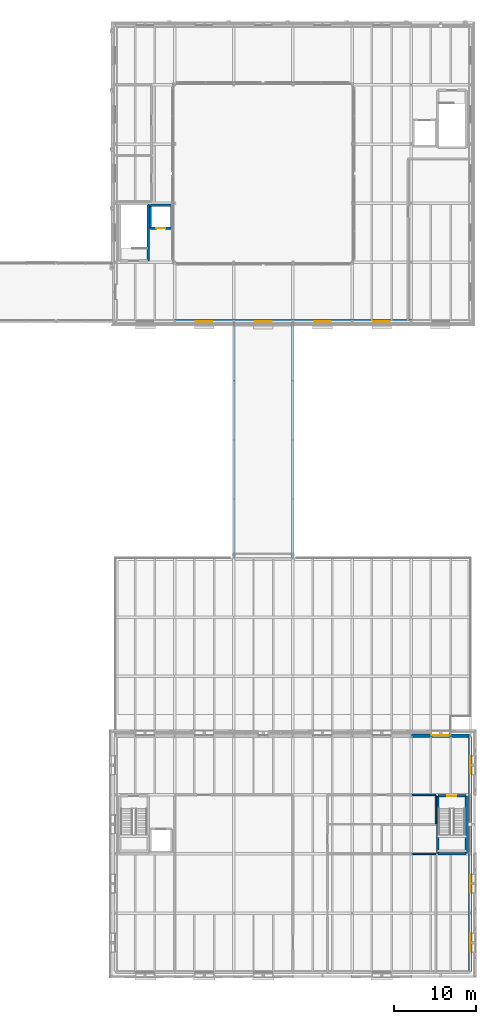
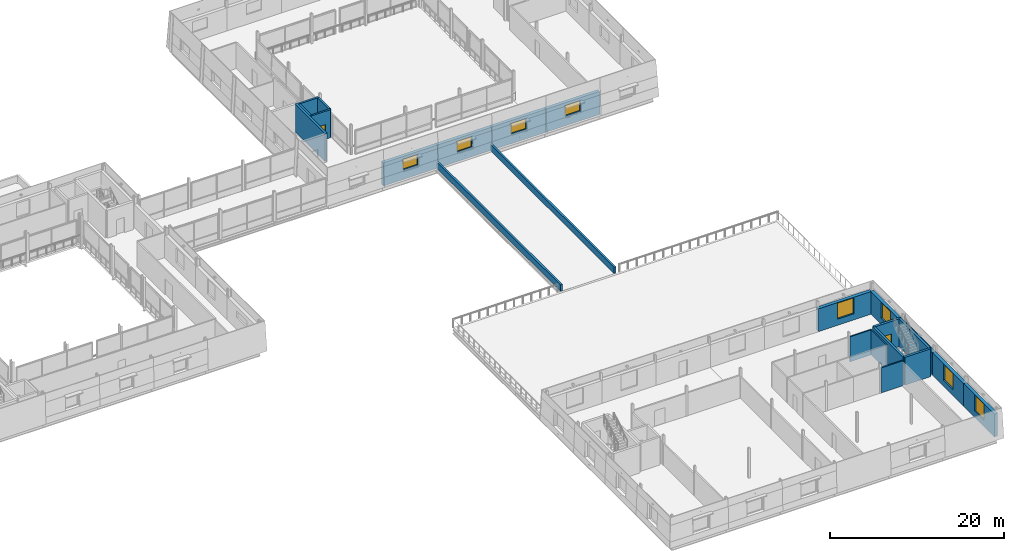
# One storey, part 76 of 115: 23 walls, 8 windows, 2 doors, 10 openings.
"""IFC4 building model written with IfcOpenShell, lengths in metres."""

import ifcopenshell
import ifcopenshell.guid

model = None  # the IFC model being written
_history = None  # IfcOwnerHistory: only IFC2X3 demands one
_inside = {}  # id of a spatial element -> (the spatial element, [elements in it])
_under = {}  # id of a project, library or spatial element -> (it, [spatial elements below it])
_declared = {}  # id of a project -> (the project, [libraries it declares])
_typed = {}  # id of a type object -> (the type object, [elements of that type])
_made_of = {}  # id of a material, layer set ... -> (it, [elements and type objects made of it])


def new_model(schema):
    """Start an empty IFC model of exactly this schema.

    Asked for "IFC4X3", IfcOpenShell would pick the latest addendum, in which some entities
    have other attributes; the version numbers below select the first issue.
    IFC2X3 requires an IfcOwnerHistory on every rooted entity: one is made here for all.
    """
    global model, _history
    if schema == "IFC4X3":
        model = ifcopenshell.file(schema_version=(4, 3, 0, 0))
    else:
        model = ifcopenshell.file(schema=schema)
    _inside.clear()
    _under.clear()
    _declared.clear()
    _typed.clear()
    _made_of.clear()
    _history = None
    if model.schema == "IFC2X3":
        org = make("IfcOrganization", Name="unknown")
        user = make(
            "IfcPersonAndOrganization",
            ThePerson=make("IfcPerson", FamilyName="unknown"),
            TheOrganization=org,
        )
        app = make(
            "IfcApplication",
            ApplicationDeveloper=org,
            Version="unknown",
            ApplicationFullName="unknown",
            ApplicationIdentifier="unknown",
        )
        _history = make(
            "IfcOwnerHistory",
            OwningUser=user,
            OwningApplication=app,
            ChangeAction="ADDED",
            CreationDate=0,
        )
    return model


def make(cls, **values):
    """One entity of the class cls with the attributes given. An attribute that is None is left unset."""
    return model.create_entity(
        cls, **{name: value for name, value in values.items() if value is not None}
    )


def rooted(cls, **values):
    """An entity with a GlobalId (a new one), such as an element, a storey or a relation."""
    return make(cls, GlobalId=ifcopenshell.guid.new(), OwnerHistory=_history, **values)


def si_unit(unit_type, name, prefix=None):
    """IfcSIUnit, for example si_unit("LENGTHUNIT", "METRE", prefix="MILLI")."""
    return make("IfcSIUnit", UnitType=unit_type, Prefix=prefix, Name=name)


def assignment(units):
    """IfcUnitAssignment: the units of a project."""
    return None if units is None else make("IfcUnitAssignment", Units=units)


def point(xyz):
    """IfcCartesianPoint."""
    return None if xyz is None else make("IfcCartesianPoint", Coordinates=xyz)


def direction(xyz):
    """IfcDirection."""
    return None if xyz is None else make("IfcDirection", DirectionRatios=xyz)


def frame(location, z_axis=None, x_axis=None):
    """IfcAxis2Placement3D, a coordinate frame: its origin and axes. An axis left out is left unset."""
    return make(
        "IfcAxis2Placement3D",
        Location=point(location),
        Axis=direction(z_axis),
        RefDirection=direction(x_axis),
    )


def frame_2d(location, x_axis=None):
    """IfcAxis2Placement2D, a coordinate frame in the plane: its origin and x axis."""
    return make(
        "IfcAxis2Placement2D", Location=point(location), RefDirection=direction(x_axis)
    )


def origin():
    """The frame at (0, 0, 0) with its axes left unset."""
    return frame((0.0, 0.0, 0.0))


def place(relative_to, where):
    """IfcLocalPlacement: puts the frame where relative to a parent placement (None: the world)."""
    return make(
        "IfcLocalPlacement", PlacementRelTo=relative_to, RelativePlacement=where
    )


def context(
    kind, dimensions, precision=None, world=None, true_north=None, identifier=None
):
    """IfcGeometricRepresentationContext, for example the 3D "Model" context."""
    return make(
        "IfcGeometricRepresentationContext",
        ContextIdentifier=identifier,
        ContextType=kind,
        CoordinateSpaceDimension=dimensions,
        Precision=precision,
        WorldCoordinateSystem=world,
        TrueNorth=true_north,
    )


def subcontext(parent, identifier, kind, view, scale=None):
    """IfcGeometricRepresentationSubContext, for example "Body" below "Model"."""
    return make(
        "IfcGeometricRepresentationSubContext",
        ContextIdentifier=identifier,
        ContextType=kind,
        ParentContext=parent,
        TargetScale=scale,
        TargetView=view,
    )


def project(units=None, contexts=None):
    """IfcProject with its units and contexts."""
    return rooted(
        "IfcProject",
        Name="project",
        RepresentationContexts=contexts,
        UnitsInContext=assignment(units),
    )


def spatial(cls, under=None, at=None, **own):
    """A site, building, storey or space (cls), placed at a placement, below another one or the project."""
    s = rooted(cls, ObjectPlacement=at, **own)
    if under is not None:
        _under.setdefault(under.id(), (under, []))[1].append(s)
    return s


def profile(cls, at=None, kind="AREA", **sizes):
    """A parametric profile (cls). Its sizes go by their IFC names, for example OverallWidth=200.0."""
    return make(cls, ProfileType=kind, Position=at, **sizes)


def rectangle(**sizes):
    """IfcRectangleProfileDef."""
    return profile("IfcRectangleProfileDef", **sizes)


def extrude(swept, where, along, depth):
    """IfcExtrudedAreaSolid: the profile swept, set in the frame where, extruded along a direction by depth."""
    return make(
        "IfcExtrudedAreaSolid",
        SweptArea=swept,
        Position=where,
        ExtrudedDirection=direction(along),
        Depth=depth,
    )


def shape(context_of_items, identifier, shape_type, items):
    """IfcShapeRepresentation: the items that make up one representation, for example the "Body"."""
    return make(
        "IfcShapeRepresentation",
        ContextOfItems=context_of_items,
        RepresentationIdentifier=identifier,
        RepresentationType=shape_type,
        Items=items,
    )


def material(Name=None, Category=None):
    """IfcMaterial."""
    return make("IfcMaterial", Name=Name, Category=Category)


def layer(
    of_material, thickness, ventilated=None, Name=None, Category=None, Priority=None
):
    """IfcMaterialLayer: one layer of a wall or slab, of a material (None: an air gap)."""
    return make(
        "IfcMaterialLayer",
        Material=of_material,
        LayerThickness=thickness,
        IsVentilated=ventilated,
        Name=Name,
        Category=Category,
        Priority=Priority,
    )


def layer_set(layers, Name=None):
    """IfcMaterialLayerSet."""
    return make("IfcMaterialLayerSet", MaterialLayers=layers, LayerSetName=Name)


def made_of(thing, what):
    """Note that an element or type object is made of a material, layer set ...; save() writes the relation."""
    if what is not None:
        _made_of.setdefault(what.id(), (what, []))[1].append(thing)
    return thing


def type_object(cls, material=None, **own):
    """A type object (cls), such as IfcWallType, which elements share."""
    return made_of(rooted(cls, **own), material)


def element(
    cls,
    number,
    at=None,
    inside=None,
    cuts=None,
    type_object=None,
    material=None,
    context=None,
    identifier="Body",
    shape_type=None,
    held_by="IfcProductDefinitionShape",
    body=None,
    shapes=None,
    **own,
):
    """One element of the class cls, such as IfcWall. Its Tag is "e" and its number.

    at: its placement. inside: the storey or other place that contains it. cuts: it is an
    opening in that element (IfcRelVoidsElement). A single representation is given by context,
    identifier, shape_type and body (its items); several are given by shapes. held_by: the class
    of the entity that holds the representations. save() writes the other relations.
    """
    e = rooted(cls, Tag="e%d" % number, ObjectPlacement=at, **own)
    if body is not None:
        shapes = [shape(context, identifier, shape_type, body)]
    if shapes is not None:
        e.Representation = make(held_by, Representations=shapes)
    if inside is not None:
        _inside.setdefault(inside.id(), (inside, []))[1].append(e)
    if cuts is not None:
        rooted(
            "IfcRelVoidsElement", RelatingBuildingElement=cuts, RelatedOpeningElement=e
        )
    if type_object is not None:
        _typed.setdefault(type_object.id(), (type_object, []))[1].append(e)
    return made_of(e, material)


def fill(opening, filler):
    """IfcRelFillsElement: the door or window that sits in an opening."""
    return rooted(
        "IfcRelFillsElement",
        RelatingOpeningElement=opening,
        RelatedBuildingElement=filler,
    )


def aggregate(whole, parts):
    """IfcRelAggregates: a whole, such as a stair, and the parts it consists of."""
    return rooted("IfcRelAggregates", RelatingObject=whole, RelatedObjects=parts)


def save(model, path):
    """Write the relations noted so far, then the file.

    IfcRelAggregates (storeys below a building ...), IfcRelContainedInSpatialStructure (elements
    in a storey), IfcRelDefinesByType, IfcRelAssociatesMaterial and IfcRelDeclares: one each for
    every whole, place, type object, material and project.
    """
    for whole, parts in _under.values():
        aggregate(whole, parts)
    for where, things in _inside.values():
        rooted(
            "IfcRelContainedInSpatialStructure",
            RelatedElements=things,
            RelatingStructure=where,
        )
    for kind, things in _typed.values():
        rooted("IfcRelDefinesByType", RelatedObjects=things, RelatingType=kind)
    for what, things in _made_of.values():
        rooted("IfcRelAssociatesMaterial", RelatedObjects=things, RelatingMaterial=what)
    for by, libraries in _declared.values():
        rooted("IfcRelDeclares", RelatingContext=by, RelatedDefinitions=libraries)
    model.write(path)


model = new_model("IFC4")

# Units and contexts
model_context = context("Model", 3, precision=1e-05, world=origin(), true_north=direction((0.0, 1.0)))
body_context = subcontext(model_context, "Body", "Model", "MODEL_VIEW")
ifc_project = project(units=[si_unit("LENGTHUNIT", "METRE"), si_unit("AREAUNIT", "SQUARE_METRE"), si_unit("VOLUMEUNIT", "CUBIC_METRE"), si_unit("PLANEANGLEUNIT", "RADIAN"), si_unit("MASSUNIT", "GRAM", prefix="KILO")], contexts=[model_context])

# Site, building, storey
site_placement = place(None, origin())
site = spatial("IfcSite", under=ifc_project, at=site_placement, CompositionType="ELEMENT")
building_placement = place(site_placement, origin())
building = spatial("IfcBuilding", under=site, at=building_placement, Name="Narikvali Park Central Library", CompositionType="ELEMENT")
storey_placement = place(building_placement, frame((0.0, 0.0, 10.199951171875)))
storey = spatial("IfcBuildingStorey", under=building, at=storey_placement, Name="L02", CompositionType="ELEMENT", Elevation=10.199951171875)

# Walls
ifc_material_1 = material(Name="Acoustic Gypsum on Steel Studs", Category="steel")
ifc_layer_1 = layer(ifc_material_1, 0.179931640625, Name="Acoustic Gypsum on Steel Studs")
ifc_layer_set_1 = layer_set([ifc_layer_1], Name="Acoustic Gypsum on Steel Studs")
wall_type_1 = type_object("IfcWallType", Name="Reading Room Acoustic Partition 180", PredefinedType="PARTITIONING", material=ifc_layer_set_1)
for number, where, z_axis, x_axis, name in (
    (1, (158.52392578125, 14.39990234375, 0.0), (0.0, 0.0, 1.0), (1.0, 0.0, 0.0), "Library Administration and Outreach Offices Partition N"),
    (2, (158.52392578125, 21.60009765625, 0.0), (0.0, 0.0, 1.0), (1.0, 0.0, 0.0), "Outreach Archive and Stationery Room Partition N"),
):
    element("IfcWall", number, at=place(storey_placement, frame(where, z_axis=z_axis, x_axis=x_axis)), inside=storey, type_object=wall_type_1, Name=name, PredefinedType="PARTITIONING", context=body_context, shape_type="SweptSolid", body=[
        extrude(rectangle(XDim=2.8759765625, YDim=0.179931640625, at=frame_2d((1.43798828125, 0.0))), origin(), (0.0, 0.0, 1.0), 3.51513671875),
    ])
wall_1_placement = place(storey_placement, frame((161.39990234375, 18.092041015625, 0.0), z_axis=(0.0, 0.0, 1.0), x_axis=(0.0, 1.0, 0.0)))
element("IfcWall", 3, at=wall_1_placement, inside=storey, type_object=wall_type_1, Name="Outreach Archive and Stationery Room Partition E", PredefinedType="PARTITIONING", context=body_context, shape_type="SweptSolid", body=[
    extrude(rectangle(XDim=3.416015625, YDim=0.179931640625, at=frame_2d((1.7080078125, 0.0))), origin(), (0.0, 0.0, 1.0), 3.51513671875),
])

# Wall, opening, door
ifc_material_2 = material(Name="Concrete C40/50", Category="concrete")
ifc_layer_2 = layer(ifc_material_2, 0.25, Name="Concrete C40/50")
ifc_layer_set_2 = layer_set([ifc_layer_2], Name="Concrete C40/50")
wall_type_2 = type_object("IfcWallType", Name="Reinforced Concrete Lift Shaft Wall 250", PredefinedType="SHEAR", material=ifc_layer_set_2)
wall_2_placement = place(storey_placement, frame((126.64990234375, 90.550048828125, 0.0), z_axis=(0.0, 0.0, 1.0), x_axis=(1.0, 0.0, 0.0)))
wall_2 = element("IfcWall", 4, at=wall_2_placement, inside=storey, type_object=wall_type_2, Name="L-04 L02 Lift Shaft Wall S", PredefinedType="SHEAR", context=body_context, shape_type="SweptSolid", body=[
    extrude(rectangle(XDim=2.550048828125, YDim=0.25, at=frame_2d((1.27490234375, 0.0))), origin(), (0.0, 0.0, 1.0), 3.9599609375),
])
opening_1_placement = place(wall_2_placement, frame((0.72509765625, 0.0, 0.0)))
opening_1 = element("IfcOpeningElement", 5, at=opening_1_placement, cuts=wall_2, Name="Opening LD-017", PredefinedType="OPENING", context=body_context, shape_type="SweptSolid", body=[
    extrude(rectangle(XDim=1.10009765625, YDim=2.10009765625, at=frame_2d((0.550048828125, 1.050048828125))), frame((0.0, 0.136962890625, 0.0), z_axis=(0.0, -1.0, 0.0), x_axis=(1.0, 0.0, 0.0)), (0.0, 0.0, 1.0), 0.27392578125),
])
ifc_material_3 = material(Name="Brushed Stainless Steel S355", Category="steel")
door_type_1 = type_object("IfcDoorType", Name="Passenger Lift Sliding Landing Door 1100x2100", OperationType="SLIDING_TO_LEFT", PredefinedType="DOOR", material=ifc_material_3)
door_1_placement = place(opening_1_placement, origin())
door_1 = element("IfcDoor", 6, at=door_1_placement, inside=storey, type_object=door_type_1, Name="L-04 L02 Lift Landing Sliding Door LD-017", OperationType="SLIDING_TO_LEFT", OverallHeight=2.10009765625, OverallWidth=1.10009765625, PredefinedType="DOOR", context=body_context, shape_type="SweptSolid", body=[
    extrude(rectangle(XDim=1.10009765625, YDim=2.10009765625, at=frame_2d((0.550048828125, 1.050048828125))), frame((0.0, 0.02490234375, 0.0), z_axis=(0.0, -1.0, 0.0), x_axis=(1.0, 0.0, 0.0)), (0.0, 0.0, 1.0), 0.050048828125),
])
fill(opening_1, door_1)

# Walls
wall_3_placement = place(storey_placement, frame((129.199951171875, 90.550048828125, 0.0), z_axis=(0.0, 0.0, 1.0), x_axis=(0.0, 1.0, 0.0)))
element("IfcWall", 7, at=wall_3_placement, inside=storey, type_object=wall_type_2, Name="L-04 L02 Lift Shaft Wall E", PredefinedType="SHEAR", context=body_context, shape_type="SweptSolid", body=[
    extrude(rectangle(XDim=2.800048828125, YDim=0.25, at=frame_2d((1.39990234375, 0.0))), origin(), (0.0, 0.0, 1.0), 3.9599609375),
])
wall_4_placement = place(storey_placement, frame((129.199951171875, 93.35009765625, 0.0), z_axis=(0.0, 0.0, 1.0), x_axis=(-1.0, 0.0, 0.0)))
element("IfcWall", 8, at=wall_4_placement, inside=storey, type_object=wall_type_2, Name="L-04 L02 Lift Shaft Wall N", PredefinedType="SHEAR", context=body_context, shape_type="SweptSolid", body=[
    extrude(rectangle(XDim=2.550048828125, YDim=0.25, at=frame_2d((1.27490234375, 0.0))), origin(), (0.0, 0.0, 1.0), 3.9599609375),
])
wall_5_placement = place(storey_placement, frame((126.64990234375, 93.35009765625, 0.0), z_axis=(0.0, 0.0, 1.0), x_axis=(0.0, -1.0, 0.0)))
element("IfcWall", 9, at=wall_5_placement, inside=storey, type_object=wall_type_2, Name="L-04 L02 Lift Shaft Wall W", PredefinedType="SHEAR", context=body_context, shape_type="SweptSolid", body=[
    extrude(rectangle(XDim=2.800048828125, YDim=0.25, at=frame_2d((1.39990234375, 0.0))), origin(), (0.0, 0.0, 1.0), 3.9599609375),
])
ifc_layer_3 = layer(ifc_material_2, 0.300048828125, Name="Concrete C40/50")
ifc_layer_set_3 = layer_set([ifc_layer_3], Name="Concrete C40/50")
wall_type_3 = type_object("IfcWallType", Name="Reinforced Concrete Shear Wall 300", PredefinedType="SHEAR", material=ifc_layer_set_3)
wall_6_placement = place(storey_placement, frame((126.3701171875, 86.580078125, 0.0), z_axis=(0.0, 0.0, 1.0), x_axis=(0.0, 1.0, 0.0)))
element("IfcWall", 10, at=wall_6_placement, inside=storey, type_object=wall_type_3, Name="C3A L02 Stair Core Shear Wall E", PredefinedType="SHEAR", context=body_context, shape_type="SweptSolid", body=[
    extrude(rectangle(XDim=6.93994140625, YDim=0.300048828125, at=frame_2d((3.469970703125, 0.0))), origin(), (0.0, 0.0, 1.0), 3.9599609375),
])
wall_7_placement = place(storey_placement, frame((161.6298828125, 14.429931640625, 0.0), z_axis=(0.0, 0.0, 1.0), x_axis=(1.0, 0.0, 0.0)))
element("IfcWall", 11, at=wall_7_placement, inside=storey, type_object=wall_type_3, Name="C6B L02 Stair Core Shear Wall S", PredefinedType="SHEAR", context=body_context, shape_type="SweptSolid", body=[
    extrude(rectangle(XDim=3.440185546875, YDim=0.300048828125, at=frame_2d((1.72021484375, 0.0))), origin(), (0.0, 0.0, 1.0), 3.920166015625),
])
wall_8_placement = place(storey_placement, frame((165.070068359375, 14.429931640625, 0.0), z_axis=(0.0, 0.0, 1.0), x_axis=(0.0, 1.0, 0.0)))
element("IfcWall", 12, at=wall_8_placement, inside=storey, type_object=wall_type_3, Name="C6B L02 Stair Core Shear Wall E", PredefinedType="SHEAR", context=body_context, shape_type="SweptSolid", body=[
    extrude(rectangle(XDim=7.0400390625, YDim=0.300048828125, at=frame_2d((3.52001953125, 0.0))), origin(), (0.0, 0.0, 1.0), 3.920166015625),
])

# Wall, opening, door
wall_9_placement = place(storey_placement, frame((165.070068359375, 21.469970703125, 0.0), z_axis=(0.0, 0.0, 1.0), x_axis=(-1.0, 0.0, 0.0)))
wall_9 = element("IfcWall", 13, at=wall_9_placement, inside=storey, type_object=wall_type_3, Name="C6B L02 Stair Core Shear Wall N", PredefinedType="SHEAR", context=body_context, shape_type="SweptSolid", body=[
    extrude(rectangle(XDim=3.440185546875, YDim=0.300048828125, at=frame_2d((1.72021484375, 0.0))), origin(), (0.0, 0.0, 1.0), 3.920166015625),
])
opening_2_placement = place(wall_9_placement, frame((1.169921875, 0.0, 0.0)))
opening_2 = element("IfcOpeningElement", 14, at=opening_2_placement, cuts=wall_9, Name="Opening SD-065", PredefinedType="OPENING", context=body_context, shape_type="SweptSolid", body=[
    extrude(rectangle(XDim=1.10009765625, YDim=2.14990234375, at=frame_2d((0.550048828125, 1.074951171875))), frame((0.0, 0.162109375, 0.0), z_axis=(0.0, -1.0, 0.0), x_axis=(1.0, 0.0, 0.0)), (0.0, 0.0, 1.0), 0.323974609375),
])
ifc_material_4 = material(Name="Powder-Coated Steel S275 Fire Leaf", Category="steel")
door_type_2 = type_object("IfcDoorType", Name="Stair Core Smoke-Control Fire Door 1100x2150", OperationType="SINGLE_SWING_LEFT", PredefinedType="DOOR", material=ifc_material_4)
door_2_placement = place(opening_2_placement, frame((1.10009765625, 0.0, 0.0), z_axis=(0.0, 0.0, 1.0), x_axis=(-1.0, 0.0, 0.0)))
door_2 = element("IfcDoor", 15, at=door_2_placement, inside=storey, type_object=door_type_2, Name="ST-12 L02 Stair Exit Door SD-065", OperationType="SINGLE_SWING_LEFT", OverallHeight=2.14990234375, OverallWidth=1.10009765625, PredefinedType="DOOR", context=body_context, shape_type="SweptSolid", body=[
    extrude(rectangle(XDim=1.10009765625, YDim=2.14990234375, at=frame_2d((0.550048828125, 1.074951171875))), frame((0.0, 0.02490234375, 0.0), z_axis=(0.0, -1.0, 0.0), x_axis=(1.0, 0.0, 0.0)), (0.0, 0.0, 1.0), 0.050048828125),
])
fill(opening_2, door_2)

# Walls
wall_10_placement = place(storey_placement, frame((161.6298828125, 21.469970703125, 0.0), z_axis=(0.0, 0.0, 1.0), x_axis=(0.0, -1.0, 0.0)))
element("IfcWall", 16, at=wall_10_placement, inside=storey, type_object=wall_type_3, Name="C6B L02 Stair Core Shear Wall W", PredefinedType="SHEAR", context=body_context, shape_type="SweptSolid", body=[
    extrude(rectangle(XDim=7.0400390625, YDim=0.300048828125, at=frame_2d((3.52001953125, 0.0))), origin(), (0.0, 0.0, 1.0), 3.920166015625),
])
ifc_material_5 = material(Name="White Honed Limestone over Concrete C35/45", Category="masonry")
ifc_layer_4 = layer(ifc_material_5, 0.260009765625, Name="White Honed Limestone over Concrete C35/45")
ifc_layer_set_4 = layer_set([ifc_layer_4], Name="White Honed Limestone over Concrete C35/45")
wall_type_4 = type_object("IfcWallType", Name="Terrace Garden Parapet Wall 260", PredefinedType="PARAPET", material=ifc_layer_set_4)
for number, where, z_axis, x_axis, name in (
    (17, (143.9599609375, 50.43994140625, 0.0), (0.0, 0.0, 1.0), (0.0, 1.0, 0.0), "BRG-4 Roof Parapet E"),
    (18, (136.840087890625, 79.159912109375, 0.0), (0.0, 0.0, 1.0), (0.0, -1.0, 0.0), "BRG-4 Roof Parapet W"),
):
    element("IfcWall", number, at=place(storey_placement, frame(where, z_axis=z_axis, x_axis=x_axis)), inside=storey, type_object=wall_type_4, Name=name, PredefinedType="PARAPET", context=body_context, shape_type="SweptSolid", body=[
        extrude(rectangle(XDim=28.719970703125, YDim=0.260009765625, at=frame_2d((14.35986328125, 0.0))), origin(), (0.0, 0.0, 1.0), 0.900146484375),
    ])

# Wall, opening, window
ifc_layer_5 = layer(ifc_material_5, 0.43994140625, Name="White Honed Limestone over Concrete C35/45")
ifc_layer_set_5 = layer_set([ifc_layer_5], Name="White Honed Limestone over Concrete C35/45")
wall_type_5 = type_object("IfcWallType", Name="White Limestone Battered Tier2 Wall 440", PredefinedType="SOLIDWALL", material=ifc_layer_set_5)
wall_11_placement = place(storey_placement, frame((129.60009765625, 79.199951171875, 0.0), z_axis=(0.0, 0.0, 1.0), x_axis=(1.0, 0.0, 0.0)))
wall_11 = element("IfcWall", 19, at=wall_11_placement, inside=storey, type_object=wall_type_5, Name="V3 L02 S Exterior Limestone Wall B02", PredefinedType="SOLIDWALL", context=body_context, shape_type="SweptSolid", body=[
    extrude(rectangle(XDim=7.199951171875, YDim=0.43994140625, at=frame_2d((3.60009765625, 0.0))), origin(), (0.0, 0.0, 1.0), 3.239990234375),
])
opening_3_placement = place(wall_11_placement, frame((2.60009765625, 0.0, 1.35009765625)))
opening_3 = element("IfcOpeningElement", 20, at=opening_3_placement, cuts=wall_11, Name="Opening WIN-0108", PredefinedType="OPENING", context=body_context, shape_type="SweptSolid", body=[
    extrude(rectangle(XDim=2.0, YDim=1.5, at=frame_2d((1.0, 0.75))), frame((0.0, 0.23193359375, 0.0), z_axis=(0.0, -1.0, 0.0), x_axis=(1.0, 0.0, 0.0)), (0.0, 0.0, 1.0), 0.4638671875),
])
ifc_material_6 = material(Name="Anodised Bronze Aluminium and Low-E Triple Glazing", Category="aluminium")
window_type_1 = type_object("IfcWindowType", Name="Auditorium Acoustic Clerestory Window 2000x1500", PartitioningType="DOUBLE_PANEL_HORIZONTAL", PredefinedType="WINDOW", material=ifc_material_6)
window_1_placement = place(opening_3_placement, origin())
window_1 = element("IfcWindow", 21, at=window_1_placement, inside=storey, type_object=window_type_1, Name="V3 L02 S Deep-Reveal Window WIN-0108", OverallHeight=1.5, OverallWidth=2.0, PartitioningType="SINGLE_PANEL", PredefinedType="WINDOW", context=body_context, shape_type="SweptSolid", body=[
    extrude(rectangle(XDim=2.0, YDim=1.5, at=frame_2d((1.0, 0.75))), frame((0.0, 0.030029296875, 0.0), z_axis=(0.0, -1.0, 0.0), x_axis=(1.0, 0.0, 0.0)), (0.0, 0.0, 1.0), 0.06005859375),
])
fill(opening_3, window_1)

wall_12_placement = place(storey_placement, frame((136.800048828125, 79.199951171875, 0.0), z_axis=(0.0, 0.0, 1.0), x_axis=(1.0, 0.0, 0.0)))
wall_12 = element("IfcWall", 22, at=wall_12_placement, inside=storey, type_object=wall_type_5, Name="V3 L02 S Exterior Limestone Wall B03", PredefinedType="SOLIDWALL", context=body_context, shape_type="SweptSolid", body=[
    extrude(rectangle(XDim=7.199951171875, YDim=0.43994140625, at=frame_2d((3.60009765625, 0.0))), origin(), (0.0, 0.0, 1.0), 3.239990234375),
])
opening_4_placement = place(wall_12_placement, frame((2.60009765625, 0.0, 1.35009765625)))
opening_4 = element("IfcOpeningElement", 23, at=opening_4_placement, cuts=wall_12, Name="Opening WIN-0109", PredefinedType="OPENING", context=body_context, shape_type="SweptSolid", body=[
    extrude(rectangle(XDim=2.0, YDim=1.5, at=frame_2d((1.0, 0.75))), frame((0.0, 0.23193359375, 0.0), z_axis=(0.0, -1.0, 0.0), x_axis=(1.0, 0.0, 0.0)), (0.0, 0.0, 1.0), 0.4638671875),
])
window_2_placement = place(opening_4_placement, origin())
window_2 = element("IfcWindow", 24, at=window_2_placement, inside=storey, type_object=window_type_1, Name="V3 L02 S Deep-Reveal Window WIN-0109", OverallHeight=1.5, OverallWidth=2.0, PartitioningType="SINGLE_PANEL", PredefinedType="WINDOW", context=body_context, shape_type="SweptSolid", body=[
    extrude(rectangle(XDim=2.0, YDim=1.5, at=frame_2d((1.0, 0.75))), frame((0.0, 0.030029296875, 0.0), z_axis=(0.0, -1.0, 0.0), x_axis=(1.0, 0.0, 0.0)), (0.0, 0.0, 1.0), 0.06005859375),
])
fill(opening_4, window_2)

wall_13_placement = place(storey_placement, frame((144.0, 79.199951171875, 0.0), z_axis=(0.0, 0.0, 1.0), x_axis=(1.0, 0.0, 0.0)))
wall_13 = element("IfcWall", 25, at=wall_13_placement, inside=storey, type_object=wall_type_5, Name="V3 L02 S Exterior Limestone Wall B04", PredefinedType="SOLIDWALL", context=body_context, shape_type="SweptSolid", body=[
    extrude(rectangle(XDim=7.199951171875, YDim=0.43994140625, at=frame_2d((3.60009765625, 0.0))), origin(), (0.0, 0.0, 1.0), 3.239990234375),
])
opening_5_placement = place(wall_13_placement, frame((2.60009765625, 0.0, 1.35009765625)))
opening_5 = element("IfcOpeningElement", 26, at=opening_5_placement, cuts=wall_13, Name="Opening WIN-0110", PredefinedType="OPENING", context=body_context, shape_type="SweptSolid", body=[
    extrude(rectangle(XDim=2.0, YDim=1.5, at=frame_2d((1.0, 0.75))), frame((0.0, 0.23193359375, 0.0), z_axis=(0.0, -1.0, 0.0), x_axis=(1.0, 0.0, 0.0)), (0.0, 0.0, 1.0), 0.4638671875),
])
window_3_placement = place(opening_5_placement, origin())
window_3 = element("IfcWindow", 27, at=window_3_placement, inside=storey, type_object=window_type_1, Name="V3 L02 S Deep-Reveal Window WIN-0110", OverallHeight=1.5, OverallWidth=2.0, PartitioningType="SINGLE_PANEL", PredefinedType="WINDOW", context=body_context, shape_type="SweptSolid", body=[
    extrude(rectangle(XDim=2.0, YDim=1.5, at=frame_2d((1.0, 0.75))), frame((0.0, 0.030029296875, 0.0), z_axis=(0.0, -1.0, 0.0), x_axis=(1.0, 0.0, 0.0)), (0.0, 0.0, 1.0), 0.06005859375),
])
fill(opening_5, window_3)

wall_14_placement = place(storey_placement, frame((151.199951171875, 79.199951171875, 0.0), z_axis=(0.0, 0.0, 1.0), x_axis=(1.0, 0.0, 0.0)))
wall_14 = element("IfcWall", 28, at=wall_14_placement, inside=storey, type_object=wall_type_5, Name="V3 L02 S Exterior Limestone Wall B05", PredefinedType="SOLIDWALL", context=body_context, shape_type="SweptSolid", body=[
    extrude(rectangle(XDim=7.199951171875, YDim=0.43994140625, at=frame_2d((3.60009765625, 0.0))), origin(), (0.0, 0.0, 1.0), 3.239990234375),
])
opening_6_placement = place(wall_14_placement, frame((2.60009765625, 0.0, 1.35009765625)))
opening_6 = element("IfcOpeningElement", 29, at=opening_6_placement, cuts=wall_14, Name="Opening WIN-0111", PredefinedType="OPENING", context=body_context, shape_type="SweptSolid", body=[
    extrude(rectangle(XDim=2.0, YDim=1.5, at=frame_2d((1.0, 0.75))), frame((0.0, 0.23193359375, 0.0), z_axis=(0.0, -1.0, 0.0), x_axis=(1.0, 0.0, 0.0)), (0.0, 0.0, 1.0), 0.4638671875),
])
window_4_placement = place(opening_6_placement, origin())
window_4 = element("IfcWindow", 30, at=window_4_placement, inside=storey, type_object=window_type_1, Name="V3 L02 S Deep-Reveal Window WIN-0111", OverallHeight=1.5, OverallWidth=2.0, PartitioningType="SINGLE_PANEL", PredefinedType="WINDOW", context=body_context, shape_type="SweptSolid", body=[
    extrude(rectangle(XDim=2.0, YDim=1.5, at=frame_2d((1.0, 0.75))), frame((0.0, 0.030029296875, 0.0), z_axis=(0.0, -1.0, 0.0), x_axis=(1.0, 0.0, 0.0)), (0.0, 0.0, 1.0), 0.06005859375),
])
fill(opening_6, window_4)

wall_15_placement = place(storey_placement, frame((165.60009765625, 0.1240234375, 0.0), z_axis=(0.0, 0.0, 1.0), x_axis=(0.0, 1.0, 0.0)))
wall_15 = element("IfcWall", 31, at=wall_15_placement, inside=storey, type_object=wall_type_5, Name="V6 L02 E Exterior Limestone Wall B01", PredefinedType="SOLIDWALL", context=body_context, shape_type="SweptSolid", body=[
    extrude(rectangle(XDim=7.075927734375, YDim=0.43994140625, at=frame_2d((3.5380859375, 0.0))), origin(), (0.0, 0.0, 1.0), 3.199951171875),
])
opening_7_placement = place(wall_15_placement, frame((2.3759765625, 0.0, 0.8701171875)))
opening_7 = element("IfcOpeningElement", 32, at=opening_7_placement, cuts=wall_15, Name="Opening WIN-0388", PredefinedType="OPENING", context=body_context, shape_type="SweptSolid", body=[
    extrude(rectangle(XDim=2.199951171875, YDim=2.25, at=frame_2d((1.10009765625, 1.125))), frame((0.0, 0.23193359375, 0.0), z_axis=(0.0, -1.0, 0.0), x_axis=(1.0, 0.0, 0.0)), (0.0, 0.0, 1.0), 0.4638671875),
])
window_type_2 = type_object("IfcWindowType", Name="Community & Fine Arts Studio Window 2200x2250", PartitioningType="TRIPLE_PANEL_VERTICAL", PredefinedType="WINDOW", material=ifc_material_6)
window_5_placement = place(opening_7_placement, origin())
window_5 = element("IfcWindow", 33, at=window_5_placement, inside=storey, type_object=window_type_2, Name="V6 L02 E Deep-Reveal Window WIN-0388", OverallHeight=2.25, OverallWidth=2.199951171875, PartitioningType="SINGLE_PANEL", PredefinedType="WINDOW", context=body_context, shape_type="SweptSolid", body=[
    extrude(rectangle(XDim=2.199951171875, YDim=2.25, at=frame_2d((1.10009765625, 1.125))), frame((0.0, 0.030029296875, 0.0), z_axis=(0.0, -1.0, 0.0), x_axis=(1.0, 0.0, 0.0)), (0.0, 0.0, 1.0), 0.06005859375),
])
fill(opening_7, window_5)

wall_16_placement = place(storey_placement, frame((165.60009765625, 7.199951171875, 0.0), z_axis=(0.0, 0.0, 1.0), x_axis=(0.0, 1.0, 0.0)))
wall_16 = element("IfcWall", 34, at=wall_16_placement, inside=storey, type_object=wall_type_5, Name="V6 L02 E Exterior Limestone Wall B02", PredefinedType="SOLIDWALL", context=body_context, shape_type="SweptSolid", body=[
    extrude(rectangle(XDim=7.199951171875, YDim=0.43994140625, at=frame_2d((3.60009765625, 0.0))), origin(), (0.0, 0.0, 1.0), 3.199951171875),
])
opening_8_placement = place(wall_16_placement, frame((2.5, 0.0, 0.8701171875)))
opening_8 = element("IfcOpeningElement", 35, at=opening_8_placement, cuts=wall_16, Name="Opening WIN-0389", PredefinedType="OPENING", context=body_context, shape_type="SweptSolid", body=[
    extrude(rectangle(XDim=2.199951171875, YDim=2.25, at=frame_2d((1.10009765625, 1.125))), frame((0.0, 0.23193359375, 0.0), z_axis=(0.0, -1.0, 0.0), x_axis=(1.0, 0.0, 0.0)), (0.0, 0.0, 1.0), 0.4638671875),
])
window_6_placement = place(opening_8_placement, origin())
window_6 = element("IfcWindow", 36, at=window_6_placement, inside=storey, type_object=window_type_2, Name="V6 L02 E Deep-Reveal Window WIN-0389", OverallHeight=2.25, OverallWidth=2.199951171875, PartitioningType="SINGLE_PANEL", PredefinedType="WINDOW", context=body_context, shape_type="SweptSolid", body=[
    extrude(rectangle(XDim=2.199951171875, YDim=2.25, at=frame_2d((1.10009765625, 1.125))), frame((0.0, 0.030029296875, 0.0), z_axis=(0.0, -1.0, 0.0), x_axis=(1.0, 0.0, 0.0)), (0.0, 0.0, 1.0), 0.06005859375),
])
fill(opening_8, window_6)

# Wall
wall_17_placement = place(storey_placement, frame((165.60009765625, 14.39990234375, 0.0), z_axis=(0.0, 0.0, 1.0), x_axis=(0.0, 1.0, 0.0)))
element("IfcWall", 37, at=wall_17_placement, inside=storey, type_object=wall_type_5, Name="V6 L02 E Exterior Limestone Wall B03", PredefinedType="SOLIDWALL", context=body_context, shape_type="SweptSolid", body=[
    extrude(rectangle(XDim=7.2001953125, YDim=0.43994140625, at=frame_2d((3.60009765625, 0.0))), origin(), (0.0, 0.0, 1.0), 3.199951171875),
])

# Wall, opening, window
wall_18_placement = place(storey_placement, frame((165.60009765625, 21.60009765625, 0.0), z_axis=(0.0, 0.0, 1.0), x_axis=(0.0, 1.0, 0.0)))
wall_18 = element("IfcWall", 38, at=wall_18_placement, inside=storey, type_object=wall_type_5, Name="V6 L02 E Exterior Limestone Wall B04", PredefinedType="SOLIDWALL", context=body_context, shape_type="SweptSolid", body=[
    extrude(rectangle(XDim=7.075927734375, YDim=0.43994140625, at=frame_2d((3.5380859375, 0.0))), origin(), (0.0, 0.0, 1.0), 3.199951171875),
])
opening_9_placement = place(wall_18_placement, frame((2.5, 0.0, 0.8701171875)))
opening_9 = element("IfcOpeningElement", 39, at=opening_9_placement, cuts=wall_18, Name="Opening WIN-0390", PredefinedType="OPENING", context=body_context, shape_type="SweptSolid", body=[
    extrude(rectangle(XDim=2.199951171875, YDim=2.25, at=frame_2d((1.10009765625, 1.125))), frame((0.0, 0.23193359375, 0.0), z_axis=(0.0, -1.0, 0.0), x_axis=(1.0, 0.0, 0.0)), (0.0, 0.0, 1.0), 0.4638671875),
])
window_7_placement = place(opening_9_placement, origin())
window_7 = element("IfcWindow", 40, at=window_7_placement, inside=storey, type_object=window_type_2, Name="V6 L02 E Deep-Reveal Window WIN-0390", OverallHeight=2.25, OverallWidth=2.199951171875, PartitioningType="SINGLE_PANEL", PredefinedType="WINDOW", context=body_context, shape_type="SweptSolid", body=[
    extrude(rectangle(XDim=2.199951171875, YDim=2.25, at=frame_2d((1.10009765625, 1.125))), frame((0.0, 0.030029296875, 0.0), z_axis=(0.0, -1.0, 0.0), x_axis=(1.0, 0.0, 0.0)), (0.0, 0.0, 1.0), 0.06005859375),
])
fill(opening_9, window_7)

wall_19_placement = place(storey_placement, frame((165.47607421875, 28.800048828125, 0.0), z_axis=(0.0, 0.0, 1.0), x_axis=(-1.0, 0.0, 0.0)))
wall_19 = element("IfcWall", 41, at=wall_19_placement, inside=storey, type_object=wall_type_5, Name="V6 L02 N Exterior Limestone Wall B01", PredefinedType="SOLIDWALL", context=body_context, shape_type="SweptSolid", body=[
    extrude(rectangle(XDim=7.076171875, YDim=0.43994140625, at=frame_2d((3.5380859375, 0.0))), origin(), (0.0, 0.0, 1.0), 3.199951171875),
])
opening_10_placement = place(wall_19_placement, frame((2.3759765625, 0.0, 0.8701171875)))
opening_10 = element("IfcOpeningElement", 42, at=opening_10_placement, cuts=wall_19, Name="Opening WIN-0391", PredefinedType="OPENING", context=body_context, shape_type="SweptSolid", body=[
    extrude(rectangle(XDim=2.199951171875, YDim=2.25, at=frame_2d((1.10009765625, 1.125))), frame((0.0, 0.23193359375, 0.0), z_axis=(0.0, -1.0, 0.0), x_axis=(1.0, 0.0, 0.0)), (0.0, 0.0, 1.0), 0.4638671875),
])
window_8_placement = place(opening_10_placement, origin())
window_8 = element("IfcWindow", 43, at=window_8_placement, inside=storey, type_object=window_type_2, Name="V6 L02 N Deep-Reveal Window WIN-0391", OverallHeight=2.25, OverallWidth=2.199951171875, PartitioningType="SINGLE_PANEL", PredefinedType="WINDOW", context=body_context, shape_type="SweptSolid", body=[
    extrude(rectangle(XDim=2.199951171875, YDim=2.25, at=frame_2d((1.10009765625, 1.125))), frame((0.0, 0.030029296875, 0.0), z_axis=(0.0, -1.0, 0.0), x_axis=(1.0, 0.0, 0.0)), (0.0, 0.0, 1.0), 0.06005859375),
])
fill(opening_10, window_8)

save(model, "model.ifc")
